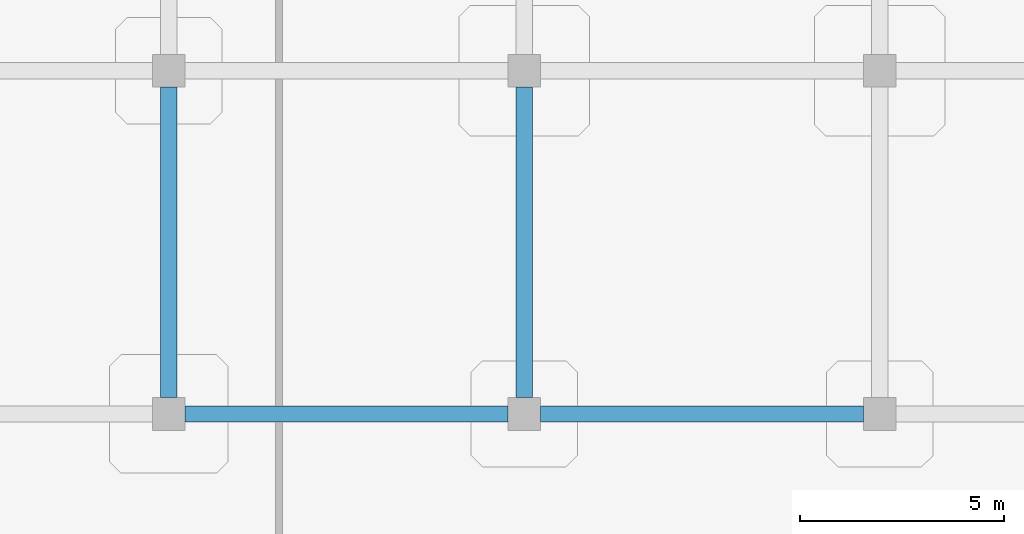
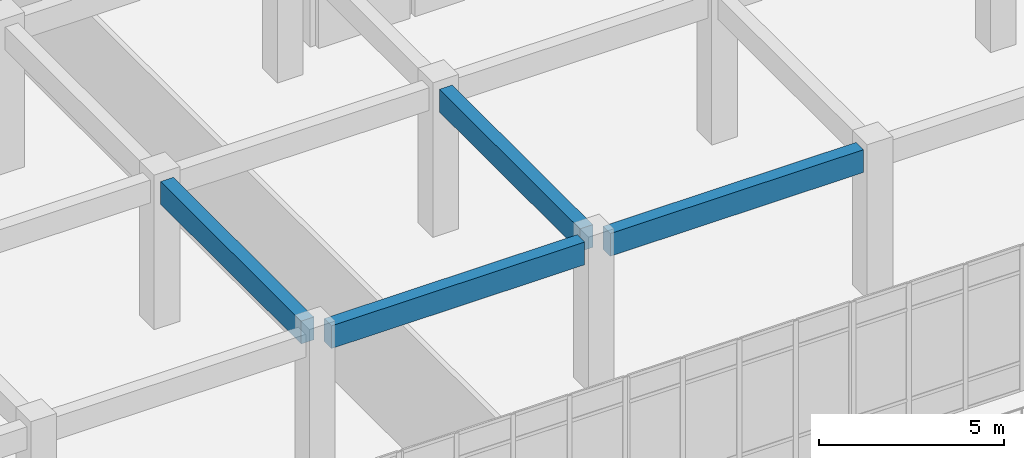
# One storey, part 12 of 124: 4 beams.
"""IFC4 building model written with IfcOpenShell, lengths in metres."""

from ifc_helpers import new_model, si_unit, derived_unit, direction, frame, origin, origin_2d, place, context, subcontext, project, spatial, rectangle, extrude, material, material_profile, profile_set, type_object, element, save


model = new_model("IFC4")

# Units and contexts
model_context = context("Model", 3, precision=1e-05, world=origin(), true_north=direction((0.0, 1.0)))
body_context = subcontext(model_context, "Body", "Model", "MODEL_VIEW")
ifc_project = project(units=[si_unit("LENGTHUNIT", "METRE"), si_unit("AREAUNIT", "SQUARE_METRE"), si_unit("VOLUMEUNIT", "CUBIC_METRE"), si_unit("PLANEANGLEUNIT", "RADIAN"), si_unit("MASSUNIT", "GRAM", prefix="KILO"), derived_unit("THERMALTRANSMITTANCEUNIT", [(si_unit("MASSUNIT", "GRAM", prefix="KILO"), 1), (si_unit("TIMEUNIT", "SECOND"), -3), (si_unit("THERMODYNAMICTEMPERATUREUNIT", "KELVIN"), -1)])], contexts=[model_context])

# Site, building, storey
site_placement = place(None, origin())
site = spatial("IfcSite", under=ifc_project, at=site_placement, CompositionType="ELEMENT")
building_placement = place(site_placement, origin())
building = spatial("IfcBuilding", under=site, at=building_placement, Name="Qinzheling Arcade Emporium", CompositionType="ELEMENT")
storey_placement = place(building_placement, frame((0.0, 0.0, 16.5)))
storey = spatial("IfcBuildingStorey", under=building, at=storey_placement, Name="L04", CompositionType="ELEMENT", Elevation=16.5)

# Beams
ifc_material = material(Name="Concrete C40", Category="concrete")
ifc_material_profile = material_profile(ifc_material, rectangle(XDim=0.39990234375, YDim=0.75, at=origin_2d()), Name="RC 400x750", Category="concrete")
ifc_profile_set = profile_set([ifc_material_profile], Name="Concrete C40")
beam_type = type_object("IfcBeamType", Name="RC Interior Tie Beam 400x750 C40", PredefinedType="BEAM", material=ifc_profile_set)
for number, where, z_axis, x_axis, name in (
    (1, (35.199951171875, 8.39990234375, 4.445068359375), (1.0, 0.0, 0.0), (0.0, 1.0, 0.0), "Beam BM-L04-X-B-5"),
    (2, (43.89990234375, 8.39990234375, 4.445068359375), (1.0, 0.0, 0.0), (0.0, 1.0, 0.0), "Beam BM-L04-X-B-6"),
):
    element("IfcBeam", number, at=place(storey_placement, frame(where, z_axis=z_axis, x_axis=x_axis)), inside=storey, type_object=beam_type, Name=name, PredefinedType="BEAM", context=body_context, shape_type="SweptSolid", body=[
        extrude(rectangle(XDim=0.39990234375, YDim=0.75, at=origin_2d()), origin(), (0.0, 0.0, 1.0), 7.900146484375),
    ])
for number, where, z_axis, x_axis, name in (
    (3, (34.800048828125, 8.800048828125, 4.445068359375), (0.0, 1.0, 0.0), (-1.0, 0.0, 0.0), "Beam BM-L04-Y-5-B"),
    (4, (43.5, 8.800048828125, 4.445068359375), (0.0, 1.0, 0.0), (-1.0, 0.0, 0.0), "Beam BM-L04-Y-6-B"),
):
    element("IfcBeam", number, at=place(storey_placement, frame(where, z_axis=z_axis, x_axis=x_axis)), inside=storey, type_object=beam_type, Name=name, PredefinedType="BEAM", context=body_context, shape_type="SweptSolid", body=[
        extrude(rectangle(XDim=0.39990234375, YDim=0.75, at=origin_2d()), origin(), (0.0, 0.0, 1.0), 7.599853515625),
    ])

save(model, "model.ifc")
